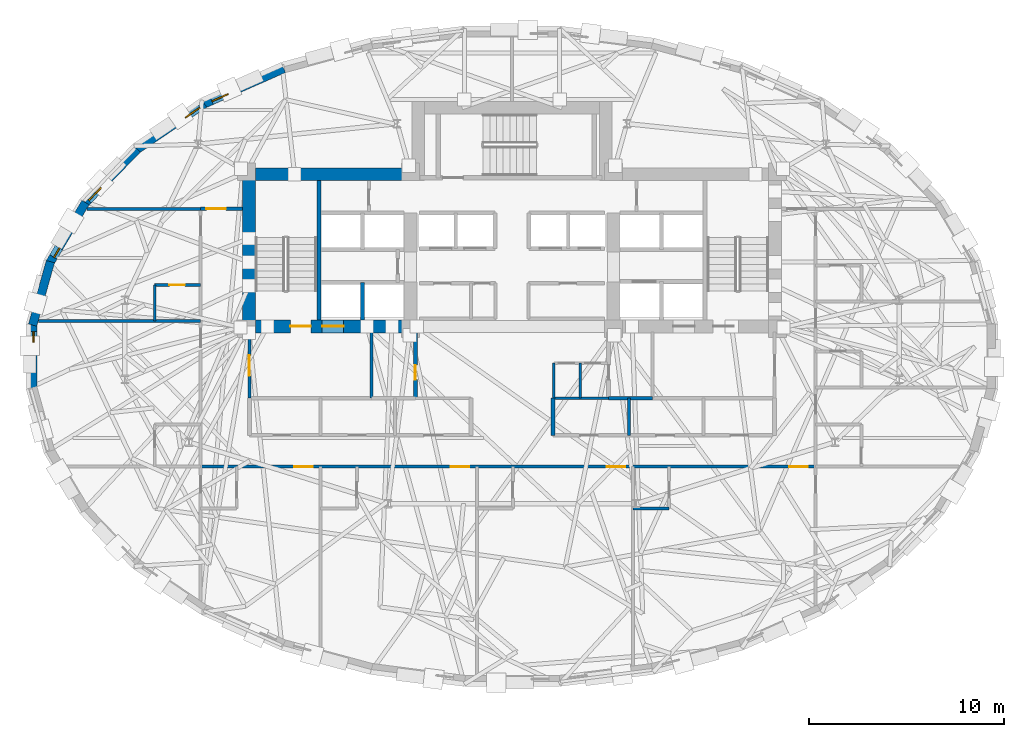
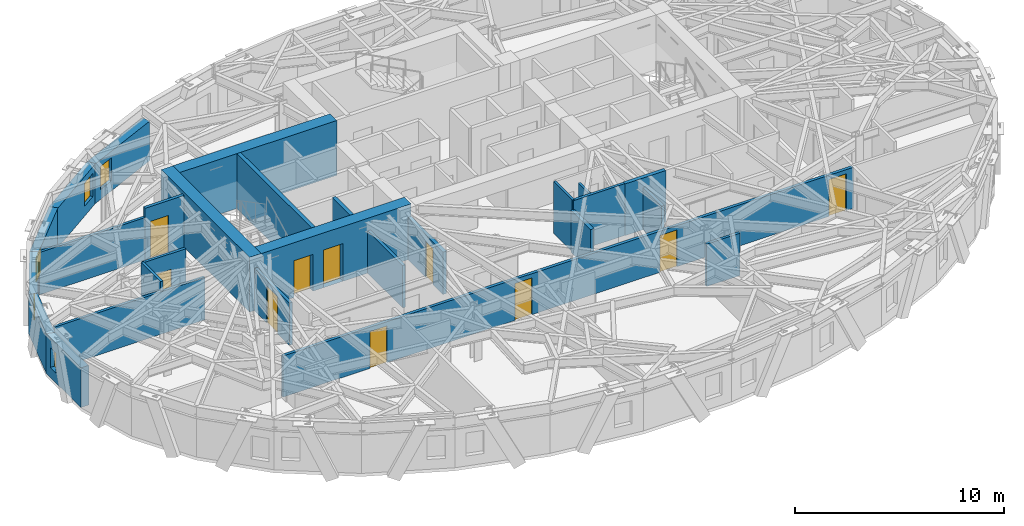
# One storey, part 7 of 15: 27 walls, 10 doors, 5 windows, 15 openings.
"""IFC4 building model written with IfcOpenShell, lengths in metres."""

from ifc_helpers import new_model, si_unit, direction, frame, frame_2d, origin, place, context, subcontext, project, spatial, rectangle, extrude, material, layer, layer_set, type_object, element, fill, save


model = new_model("IFC4")

# Units and contexts
model_context = context("Model", 3, precision=1e-05, world=origin(), true_north=direction((0.0, 1.0)))
body_context = subcontext(model_context, "Body", "Model", "MODEL_VIEW")
ifc_project = project(units=[si_unit("LENGTHUNIT", "METRE"), si_unit("AREAUNIT", "SQUARE_METRE"), si_unit("VOLUMEUNIT", "CUBIC_METRE"), si_unit("PLANEANGLEUNIT", "RADIAN"), si_unit("MASSUNIT", "GRAM", prefix="KILO")], contexts=[model_context])

# Site, building, storey
site_placement = place(None, origin())
site = spatial("IfcSite", under=ifc_project, at=site_placement, CompositionType="ELEMENT")
building_placement = place(site_placement, origin())
building = spatial("IfcBuilding", under=site, at=building_placement, Name="Keldmark Tower", CompositionType="ELEMENT")
storey_placement = place(building_placement, frame((0.0, 0.0, 159.800048828125)))
storey = spatial("IfcBuildingStorey", under=building, at=storey_placement, Name="L43", CompositionType="ELEMENT", Elevation=159.800048828125)

# Walls
ifc_material_1 = material(Name="Heavy Acoustic Plumbing Chase Gypsum Assembly", Category="gypsum")
ifc_layer_1 = layer(ifc_material_1, 0.18994140625)
ifc_layer_set_1 = layer_set([ifc_layer_1], Name="Heavy Acoustic Plumbing Chase Gypsum Assembly")
wall_type_1 = type_object("IfcWallType", Name="Heavy Wet Wall 190 mm", PredefinedType="PLUMBINGWALL", material=ifc_layer_set_1)
wall_1_placement = place(storey_placement, frame((2.10009765625, -4.050048828125, 0.0), z_axis=(0.0, 0.0, 1.0), x_axis=(0.0, 1.0, 0.0)))
element("IfcWall", 1, at=wall_1_placement, inside=storey, type_object=wall_type_1, Name="L43 Heavy Wet Wall 190 mm SPK-E-W", PredefinedType="PLUMBINGWALL", context=body_context, shape_type="SweptSolid", body=[
    extrude(rectangle(XDim=1.900146484375, YDim=0.18994140625, at=frame_2d((0.9501953125, 0.0))), origin(), (0.0, 0.0, 1.0), 2.472900390625),
])
ifc_material_2 = material(Name="Acoustic Gypsum Board Interior Partition", Category="gypsum")
ifc_layer_2 = layer(ifc_material_2, 0.1298828125)
ifc_layer_set_2 = layer_set([ifc_layer_2], Name="Acoustic Gypsum Board Interior Partition")
wall_type_2 = type_object("IfcWallType", Name="Interior Partition 130 mm", PredefinedType="PARTITIONING", material=ifc_layer_set_2)
wall_2_placement = place(storey_placement, frame((2.14990234375, -2.14990234375, 0.0), z_axis=(0.0, 0.0, 1.0), x_axis=(0.0, 1.0, 0.0)))
element("IfcWall", 2, at=wall_2_placement, inside=storey, type_object=wall_type_2, Name="L43 Interior Partition 130 mm CSC-E-W", PredefinedType="PARTITIONING", context=body_context, shape_type="SweptSolid", body=[
    extrude(rectangle(XDim=1.7998046875, YDim=0.1298828125, at=frame_2d((0.89990234375, 0.0))), origin(), (0.0, 0.0, 1.0), 3.02001953125),
])
wall_3_placement = place(storey_placement, frame((3.5, -2.14990234375, 0.0), z_axis=(0.0, 0.0, 1.0), x_axis=(0.0, 1.0, 0.0)))
element("IfcWall", 3, at=wall_3_placement, inside=storey, type_object=wall_type_2, Name="L43 Interior Partition 130 mm CSC-E-M", PredefinedType="PARTITIONING", context=body_context, shape_type="SweptSolid", body=[
    extrude(rectangle(XDim=1.7998046875, YDim=0.1298828125, at=frame_2d((0.89990234375, 0.0))), origin(), (0.0, 0.0, 1.0), 2.472900390625),
])

# Wall, opening, door
ifc_material_3 = material(Name="Type X Fire-Rated Gypsum Partition Assembly", Category="gypsum")
ifc_layer_3 = layer(ifc_material_3, 0.1650390625)
ifc_layer_set_3 = layer_set([ifc_layer_3], Name="Type X Fire-Rated Gypsum Partition Assembly")
wall_type_3 = type_object("IfcWallType", Name="Rated Partition 165 mm", PredefinedType="PARTITIONING", material=ifc_layer_set_3)
wall_4_placement = place(storey_placement, frame((-13.449951171875, -2.14990234375, 0.0), z_axis=(0.0, 0.0, 1.0), x_axis=(0.0, 1.0, 0.0)))
wall_4 = element("IfcWall", 4, at=wall_4_placement, inside=storey, type_object=wall_type_3, Name="L43 Rated Partition 165 mm FSAE-W-W", PredefinedType="PARTITIONING", context=body_context, shape_type="SweptSolid", body=[
    extrude(rectangle(XDim=3.39990234375, YDim=0.1650390625, at=frame_2d((1.699951171875, 0.0))), origin(), (0.0, 0.0, 1.0), 2.472900390625),
])
opening_1_placement = place(wall_4_placement, frame((1.14990234375, 0.0, 0.0)))
opening_1 = element("IfcOpeningElement", 5, at=opening_1_placement, cuts=wall_4, Name="Opening D-FL105", PredefinedType="OPENING", context=body_context, shape_type="SweptSolid", body=[
    extrude(rectangle(XDim=1.050048828125, YDim=2.14990234375, at=frame_2d((0.52490234375, 1.074951171875))), frame((0.0, 0.092529296875, 0.0), z_axis=(0.0, -1.0, 0.0), x_axis=(1.0, 0.0, 0.0)), (0.0, 0.0, 1.0), 0.18505859375),
])
ifc_material_4 = material(Name="Fire-Rated Mineral-Core Door and Vision Lite", Category="metal")
door_type_1 = type_object("IfcDoorType", Name="Fire Lobby Door 1050x2150", OperationType="NOTDEFINED", PredefinedType="DOOR", material=ifc_material_4)
door_1_placement = place(opening_1_placement, origin())
door_1 = element("IfcDoor", 6, at=door_1_placement, inside=storey, type_object=door_type_1, Name="L43 Fire Lobby Door 1050x2150 D-FSAEW-OUT-L43", OperationType="SINGLE_SWING_LEFT", OverallHeight=2.14990234375, OverallWidth=1.050048828125, PredefinedType="DOOR", context=body_context, shape_type="SweptSolid", body=[
    extrude(rectangle(XDim=1.050048828125, YDim=2.14990234375, at=frame_2d((0.52490234375, 1.074951171875))), frame((0.0, 0.02490234375, 0.0), z_axis=(0.0, -1.0, 0.0), x_axis=(1.0, 0.0, 0.0)), (0.0, 0.0, 1.0), 0.050048828125),
])
fill(opening_1, door_1)

# Wall
wall_5_placement = place(storey_placement, frame((-7.199951171875, -2.14990234375, 0.0), z_axis=(0.0, 0.0, 1.0), x_axis=(0.0, 1.0, 0.0)))
element("IfcWall", 7, at=wall_5_placement, inside=storey, type_object=wall_type_3, Name="L43 Rated Partition 165 mm FSAE-W-E", PredefinedType="PARTITIONING", context=body_context, shape_type="SweptSolid", body=[
    extrude(rectangle(XDim=3.39990234375, YDim=0.1650390625, at=frame_2d((1.699951171875, 0.0))), origin(), (0.0, 0.0, 1.0), 2.472900390625),
])

# Wall, openings, doors
wall_6_placement = place(storey_placement, frame((-15.949951171875, -5.64990234375, 0.0), z_axis=(0.0, 0.0, 1.0), x_axis=(1.0, 0.0, 0.0)))
wall_6 = element("IfcWall", 8, at=wall_6_placement, inside=storey, type_object=wall_type_3, Name="L43 Rated Partition 165 mm HCOR-S", PredefinedType="PARTITIONING", context=body_context, shape_type="SweptSolid", body=[
    extrude(rectangle(XDim=31.5, YDim=0.1650390625, at=frame_2d((15.75, 0.0))), origin(), (0.0, 0.0, 1.0), 2.39794921875),
])
opening_2_placement = place(wall_6_placement, frame((4.800048828125, 0.0, 0.0)))
opening_2 = element("IfcOpeningElement", 9, at=opening_2_placement, cuts=wall_6, Name="Opening D-HT095", PredefinedType="OPENING", context=body_context, shape_type="SweptSolid", body=[
    extrude(rectangle(XDim=0.949951171875, YDim=2.14990234375, at=frame_2d((0.47509765625, 1.074951171875))), frame((0.0, 0.092529296875, 0.0), z_axis=(0.0, -1.0, 0.0), x_axis=(1.0, 0.0, 0.0)), (0.0, 0.0, 1.0), 0.18505859375),
])
opening_3_placement = place(wall_6_placement, frame((12.800048828125, 0.0, 0.0)))
opening_3 = element("IfcOpeningElement", 10, at=opening_3_placement, cuts=wall_6, Name="Opening D-HT095", PredefinedType="OPENING", context=body_context, shape_type="SweptSolid", body=[
    extrude(rectangle(XDim=0.949951171875, YDim=2.14990234375, at=frame_2d((0.47509765625, 1.074951171875))), frame((0.0, 0.092529296875, 0.0), z_axis=(0.0, -1.0, 0.0), x_axis=(1.0, 0.0, 0.0)), (0.0, 0.0, 1.0), 0.18505859375),
])
opening_4_placement = place(wall_6_placement, frame((20.800048828125, 0.0, 0.0)))
opening_4 = element("IfcOpeningElement", 11, at=opening_4_placement, cuts=wall_6, Name="Opening D-HT095", PredefinedType="OPENING", context=body_context, shape_type="SweptSolid", body=[
    extrude(rectangle(XDim=0.949951171875, YDim=2.14990234375, at=frame_2d((0.47509765625, 1.074951171875))), frame((0.0, 0.092529296875, 0.0), z_axis=(0.0, -1.0, 0.0), x_axis=(1.0, 0.0, 0.0)), (0.0, 0.0, 1.0), 0.18505859375),
])
opening_5_placement = place(wall_6_placement, frame((30.14990234375, 0.0, 0.0)))
opening_5 = element("IfcOpeningElement", 12, at=opening_5_placement, cuts=wall_6, Name="Opening D-HT095", PredefinedType="OPENING", context=body_context, shape_type="SweptSolid", body=[
    extrude(rectangle(XDim=0.949951171875, YDim=2.14990234375, at=frame_2d((0.47509765625, 1.074951171875))), frame((0.0, 0.092529296875, 0.0), z_axis=(0.0, -1.0, 0.0), x_axis=(1.0, 0.0, 0.0)), (0.0, 0.0, 1.0), 0.18505859375),
])
ifc_material_5 = material(Name="Solid-Core Acoustic White Oak Fire-Rated Assembly", Category="wood")
door_type_2 = type_object("IfcDoorType", Name="Hotel Entry Door 950x2150", OperationType="NOTDEFINED", PredefinedType="DOOR", material=ifc_material_5)
door_2_placement = place(opening_2_placement, origin())
door_2 = element("IfcDoor", 13, at=door_2_placement, inside=storey, type_object=door_type_2, Name="L43 Hotel Entry Door 950x2150 D-HRS1-L43", OperationType="SINGLE_SWING_RIGHT", OverallHeight=2.14990234375, OverallWidth=0.949951171875, PredefinedType="DOOR", context=body_context, shape_type="SweptSolid", body=[
    extrude(rectangle(XDim=0.949951171875, YDim=2.14990234375, at=frame_2d((0.47509765625, 1.074951171875))), frame((0.0, 0.02490234375, 0.0), z_axis=(0.0, -1.0, 0.0), x_axis=(1.0, 0.0, 0.0)), (0.0, 0.0, 1.0), 0.050048828125),
])
fill(opening_2, door_2)
door_3_placement = place(opening_3_placement, origin())
door_3 = element("IfcDoor", 14, at=door_3_placement, inside=storey, type_object=door_type_2, Name="L43 Hotel Entry Door 950x2150 D-HRS2-L43", OperationType="SINGLE_SWING_LEFT", OverallHeight=2.14990234375, OverallWidth=0.949951171875, PredefinedType="DOOR", context=body_context, shape_type="SweptSolid", body=[
    extrude(rectangle(XDim=0.949951171875, YDim=2.14990234375, at=frame_2d((0.47509765625, 1.074951171875))), frame((0.0, 0.02490234375, 0.0), z_axis=(0.0, -1.0, 0.0), x_axis=(1.0, 0.0, 0.0)), (0.0, 0.0, 1.0), 0.050048828125),
])
fill(opening_3, door_3)
door_4_placement = place(opening_4_placement, origin())
door_4 = element("IfcDoor", 15, at=door_4_placement, inside=storey, type_object=door_type_2, Name="L43 Hotel Entry Door 950x2150 D-HRS3-L43", OperationType="SINGLE_SWING_RIGHT", OverallHeight=2.14990234375, OverallWidth=0.949951171875, PredefinedType="DOOR", context=body_context, shape_type="SweptSolid", body=[
    extrude(rectangle(XDim=0.949951171875, YDim=2.14990234375, at=frame_2d((0.47509765625, 1.074951171875))), frame((0.0, 0.02490234375, 0.0), z_axis=(0.0, -1.0, 0.0), x_axis=(1.0, 0.0, 0.0)), (0.0, 0.0, 1.0), 0.050048828125),
])
fill(opening_4, door_4)
door_5_placement = place(opening_5_placement, origin())
door_5 = element("IfcDoor", 16, at=door_5_placement, inside=storey, type_object=door_type_2, Name="L43 Hotel Entry Door 950x2150 D-HRS4-L43", OperationType="SINGLE_SWING_LEFT", OverallHeight=2.14990234375, OverallWidth=0.949951171875, PredefinedType="DOOR", context=body_context, shape_type="SweptSolid", body=[
    extrude(rectangle(XDim=0.949951171875, YDim=2.14990234375, at=frame_2d((0.47509765625, 1.074951171875))), frame((0.0, 0.02490234375, 0.0), z_axis=(0.0, -1.0, 0.0), x_axis=(1.0, 0.0, 0.0)), (0.0, 0.0, 1.0), 0.050048828125),
])
fill(opening_5, door_5)

# Wall, opening, door
wall_7_placement = place(storey_placement, frame((-15.949951171875, 7.550048828125, 0.0), z_axis=(0.0, 0.0, 1.0), x_axis=(1.0, 0.0, 0.0)))
wall_7 = element("IfcWall", 17, at=wall_7_placement, inside=storey, type_object=wall_type_3, Name="L43 Rated Partition 165 mm HCOR-WN", PredefinedType="PARTITIONING", context=body_context, shape_type="SweptSolid", body=[
    extrude(rectangle(XDim=2.14990234375, YDim=0.1650390625, at=frame_2d((1.074951171875, 0.0))), origin(), (0.0, 0.0, 1.0), 3.02001953125),
])
opening_6_placement = place(wall_7_placement, frame((0.300048828125, 0.0, 0.0)))
opening_6 = element("IfcOpeningElement", 18, at=opening_6_placement, cuts=wall_7, Name="Opening D-FD100", PredefinedType="OPENING", context=body_context, shape_type="SweptSolid", body=[
    extrude(rectangle(XDim=1.0, YDim=2.14990234375, at=frame_2d((0.5, 1.074951171875))), frame((0.0, 0.092529296875, 0.0), z_axis=(0.0, -1.0, 0.0), x_axis=(1.0, 0.0, 0.0)), (0.0, 0.0, 1.0), 0.18505859375),
])
ifc_material_6 = material(Name="Hollow Metal Fire-Rated Corridor Door", Category="metal")
door_type_3 = type_object("IfcDoorType", Name="Fire Door 1000x2150", OperationType="NOTDEFINED", PredefinedType="DOOR", material=ifc_material_6)
door_6_placement = place(opening_6_placement, origin())
door_6 = element("IfcDoor", 19, at=door_6_placement, inside=storey, type_object=door_type_3, Name="L43 Fire Door 1000x2150 D-HNNW-L43", OperationType="SINGLE_SWING_LEFT", OverallHeight=2.14990234375, OverallWidth=1.0, PredefinedType="DOOR", context=body_context, shape_type="SweptSolid", body=[
    extrude(rectangle(XDim=1.0, YDim=2.14990234375, at=frame_2d((0.5, 1.074951171875))), frame((0.0, 0.02490234375, 0.0), z_axis=(0.0, -1.0, 0.0), x_axis=(1.0, 0.0, 0.0)), (0.0, 0.0, 1.0), 0.050048828125),
])
fill(opening_6, door_6)

ifc_material_7 = material(Name="Fire-Resistant Type X Gypsum Shaftliner Coreboard", Category="gypsum")
ifc_layer_4 = layer(ifc_material_7, 0.199951171875)
ifc_layer_set_4 = layer_set([ifc_layer_4], Name="Fire-Resistant Type X Gypsum Shaftliner Coreboard")
wall_type_4 = type_object("IfcWallType", Name="Shaft Wall 200 mm", PredefinedType="SOLIDWALL", material=ifc_layer_set_4)
wall_8_placement = place(storey_placement, frame((-4.949951171875, -2.14990234375, 0.0), z_axis=(0.0, 0.0, 1.0), x_axis=(0.0, 1.0, 0.0)))
wall_8 = element("IfcWall", 20, at=wall_8_placement, inside=storey, type_object=wall_type_4, Name="L43 Shaft Wall 200 mm RIS-SW-E", PredefinedType="SOLIDWALL", context=body_context, shape_type="SweptSolid", body=[
    extrude(rectangle(XDim=3.39990234375, YDim=0.199951171875, at=frame_2d((1.699951171875, 0.0))), origin(), (0.0, 0.0, 1.0), 2.472900390625),
])
opening_7_placement = place(wall_8_placement, frame((0.949951171875, 0.0, 0.0)))
opening_7 = element("IfcOpeningElement", 21, at=opening_7_placement, cuts=wall_8, Name="Opening D-RS075", PredefinedType="OPENING", context=body_context, shape_type="SweptSolid", body=[
    extrude(rectangle(XDim=0.75, YDim=2.10009765625, at=frame_2d((0.375, 1.050048828125))), frame((0.0, 0.10986328125, 0.0), z_axis=(0.0, -1.0, 0.0), x_axis=(1.0, 0.0, 0.0)), (0.0, 0.0, 1.0), 0.219970703125),
])
ifc_material_8 = material(Name="Galvanized Fire-Rated Access Leaf", Category="metal")
door_type_4 = type_object("IfcDoorType", Name="Riser Access Door 750x2100", OperationType="NOTDEFINED", PredefinedType="DOOR", material=ifc_material_8)
door_7_placement = place(opening_7_placement, origin())
door_7 = element("IfcDoor", 22, at=door_7_placement, inside=storey, type_object=door_type_4, Name="L43 Riser Access Door 750x2100 D-RISSW-L43", OperationType="SINGLE_SWING_RIGHT", OverallHeight=2.10009765625, OverallWidth=0.75, PredefinedType="DOOR", context=body_context, shape_type="SweptSolid", body=[
    extrude(rectangle(XDim=0.75, YDim=2.10009765625, at=frame_2d((0.375, 1.050048828125))), frame((0.0, 0.02490234375, 0.0), z_axis=(0.0, -1.0, 0.0), x_axis=(1.0, 0.0, 0.0)), (0.0, 0.0, 1.0), 0.050048828125),
])
fill(opening_7, door_7)

# Walls
wall_9_placement = place(storey_placement, frame((4.949951171875, -2.14990234375, 0.0), z_axis=(0.0, 0.0, 1.0), x_axis=(1.0, 0.0, 0.0)))
element("IfcWall", 23, at=wall_9_placement, inside=storey, type_object=wall_type_4, Name="L43 Shaft Wall 200 mm RIS-SE-S", PredefinedType="SOLIDWALL", context=body_context, shape_type="SweptSolid", body=[
    extrude(rectangle(XDim=2.25, YDim=0.199951171875, at=frame_2d((1.125, 0.0))), origin(), (0.0, 0.0, 1.0), 3.02001953125),
])
wall_10_placement = place(storey_placement, frame((-7.64990234375, 1.85009765625, 0.0), z_axis=(0.0, 0.0, 1.0), x_axis=(0.0, 1.0, 0.0)))
element("IfcWall", 24, at=wall_10_placement, inside=storey, type_object=wall_type_4, Name="L43 Shaft Wall 200 mm HW-W-M", PredefinedType="SOLIDWALL", context=body_context, shape_type="SweptSolid", body=[
    extrude(rectangle(XDim=1.929931640625, YDim=0.199951171875, at=frame_2d((0.96484375, 0.0))), origin(), (0.0, 0.0, 1.0), 3.02001953125),
])
ifc_material_9 = material(Name="Concrete C50/60", Category="concrete")
ifc_layer_5 = layer(ifc_material_9, 0.219970703125)
ifc_layer_set_5 = layer_set([ifc_layer_5], Name="Concrete C50/60")
wall_type_5 = type_object("IfcWallType", Name="Stair Core Shear Wall 220 mm", PredefinedType="SHEAR", material=ifc_layer_set_5)
wall_11_placement = place(storey_placement, frame((-9.889892578125, 1.85009765625, 0.0), z_axis=(0.0, 0.0, 1.0), x_axis=(0.0, 1.0, 0.0)))
element("IfcWall", 25, at=wall_11_placement, inside=storey, type_object=wall_type_5, Name="L43 West Stair Core Shear Wall", PredefinedType="SHEAR", context=body_context, shape_type="SweptSolid", body=[
    extrude(rectangle(XDim=7.14990234375, YDim=0.219970703125, at=frame_2d((3.574951171875, 0.0))), origin(), (0.0, 0.0, 1.0), 3.199951171875),
])

# Wall, opening, window
ifc_material_10 = material(Name="Ironspot Manganese Brick and Kasota Buff Limestone Spandrel Assembly", Category="masonry")
ifc_layer_6 = layer(ifc_material_10, 0.43994140625)
ifc_layer_set_6 = layer_set([ifc_layer_6], Name="Ironspot Manganese Brick and Kasota Buff Limestone Spandrel Assembly")
wall_type_6 = type_object("IfcWallType", Name="Tower Brick Pier and Spandrel Wall 440 mm", PredefinedType="STANDARD", material=ifc_layer_set_6)
wall_12_placement = place(storey_placement, frame((-15.790771484375, 12.91552734375, 0.0), z_axis=(0.0, 0.0, 1.0), x_axis=(0.913907994914, 0.405921392431, 0.0)))
wall_12 = element("IfcWall", 26, at=wall_12_placement, inside=storey, type_object=wall_type_6, Name="L43 Exterior Brick and Spandrel Wall 11", PredefinedType="STANDARD", context=body_context, shape_type="SweptSolid", body=[
    extrude(rectangle(XDim=4.4873046875, YDim=0.43994140625, at=frame_2d((2.24365234375, 0.0))), origin(), (0.0, 0.0, 1.0), 2.31494140625),
])
opening_8_placement = place(wall_12_placement, frame((0.448974609375, 0.0, 0.580078125)))
opening_8 = element("IfcOpeningElement", 27, at=opening_8_placement, cuts=wall_12, Name="Opening W-09", PredefinedType="OPENING", context=body_context, shape_type="SweptSolid", body=[
    extrude(rectangle(XDim=0.89990234375, YDim=1.35009765625, at=frame_2d((0.449951171875, 0.675048828125))), frame((0.0, 0.22998046875, 0.0), z_axis=(0.0, -1.0, 0.0), x_axis=(1.0, 0.0, 0.0)), (0.0, 0.0, 1.0), 0.4599609375),
])
ifc_material_11 = material(Name="Thermally Broken Anodized Aluminum and Triple Low-E Argon Glazing", Category="aluminium")
window_type_1 = type_object("IfcWindowType", Name="Corner Pier Deep-Set Window 900x1350", PartitioningType="SINGLE_PANEL", PredefinedType="WINDOW", material=ifc_material_11)
window_1_placement = place(opening_8_placement, origin())
window_1 = element("IfcWindow", 28, at=window_1_placement, inside=storey, type_object=window_type_1, Name="L43 Deep-Set Window 11", OverallHeight=1.35009765625, OverallWidth=0.89990234375, PartitioningType="SINGLE_PANEL", PredefinedType="WINDOW", context=body_context, shape_type="SweptSolid", body=[
    extrude(rectangle(XDim=0.89990234375, YDim=1.35009765625, at=frame_2d((0.449951171875, 0.675048828125))), frame((0.0, -0.010009765625, 0.0), z_axis=(0.0, -1.0, 0.0), x_axis=(1.0, 0.0, 0.0)), (0.0, 0.0, 1.0), 0.06005859375),
])
fill(opening_8, window_1)

wall_13_placement = place(storey_placement, frame((-19.2265625, 10.58251953125, 0.0), z_axis=(0.0, 0.0, 1.0), x_axis=(0.827760762475, 0.561081206338, 0.0)))
wall_13 = element("IfcWall", 29, at=wall_13_placement, inside=storey, type_object=wall_type_6, Name="L43 Exterior Brick and Spandrel Wall 12", PredefinedType="STANDARD", context=body_context, shape_type="SweptSolid", body=[
    extrude(rectangle(XDim=4.19189453125, YDim=0.43994140625, at=frame_2d((2.095947265625, 0.0))), origin(), (0.0, 0.0, 1.0), 2.31494140625),
])
opening_9_placement = place(wall_13_placement, frame((2.9921875, 0.0, 0.580078125)))
opening_9 = element("IfcOpeningElement", 30, at=opening_9_placement, cuts=wall_13, Name="Opening W-09", PredefinedType="OPENING", context=body_context, shape_type="SweptSolid", body=[
    extrude(rectangle(XDim=0.89990234375, YDim=1.35009765625, at=frame_2d((0.449951171875, 0.675048828125))), frame((0.0, 0.22998046875, 0.0), z_axis=(0.0, -1.0, 0.0), x_axis=(1.0, 0.0, 0.0)), (0.0, 0.0, 1.0), 0.4599609375),
])
window_2_placement = place(opening_9_placement, origin())
window_2 = element("IfcWindow", 31, at=window_2_placement, inside=storey, type_object=window_type_1, Name="L43 Deep-Set Window 12", OverallHeight=1.35009765625, OverallWidth=0.89990234375, PartitioningType="SINGLE_PANEL", PredefinedType="WINDOW", context=body_context, shape_type="SweptSolid", body=[
    extrude(rectangle(XDim=0.89990234375, YDim=1.35009765625, at=frame_2d((0.449951171875, 0.675048828125))), frame((0.0, -0.010009765625, 0.0), z_axis=(0.0, -1.0, 0.0), x_axis=(1.0, 0.0, 0.0)), (0.0, 0.0, 1.0), 0.06005859375),
])
fill(opening_9, window_2)

wall_14_placement = place(storey_placement, frame((-21.878662109375, 7.831787109375, 0.0), z_axis=(0.0, 0.0, 1.0), x_axis=(0.694975307772, 0.719033602544, 0.0)))
wall_14 = element("IfcWall", 32, at=wall_14_placement, inside=storey, type_object=wall_type_6, Name="L43 Exterior Brick and Spandrel Wall 13", PredefinedType="STANDARD", context=body_context, shape_type="SweptSolid", body=[
    extrude(rectangle(XDim=3.866455078125, YDim=0.43994140625, at=frame_2d((1.93310546875, 0.0))), origin(), (0.0, 0.0, 1.0), 2.31494140625),
])
opening_10_placement = place(wall_14_placement, frame((0.24951171875, 0.0, 0.419921875)))
opening_10 = element("IfcOpeningElement", 33, at=opening_10_placement, cuts=wall_14, Name="Opening W-09", PredefinedType="OPENING", context=body_context, shape_type="SweptSolid", body=[
    extrude(rectangle(XDim=0.89990234375, YDim=1.35009765625, at=frame_2d((0.449951171875, 0.675048828125))), frame((0.0, 0.22998046875, 0.0), z_axis=(0.0, -1.0, 0.0), x_axis=(1.0, 0.0, 0.0)), (0.0, 0.0, 1.0), 0.4599609375),
])
window_3_placement = place(opening_10_placement, origin())
window_3 = element("IfcWindow", 34, at=window_3_placement, inside=storey, type_object=window_type_1, Name="L43 Deep-Set Window 13", OverallHeight=1.35009765625, OverallWidth=0.89990234375, PartitioningType="SINGLE_PANEL", PredefinedType="WINDOW", context=body_context, shape_type="SweptSolid", body=[
    extrude(rectangle(XDim=0.89990234375, YDim=1.35009765625, at=frame_2d((0.449951171875, 0.675048828125))), frame((0.0, -0.010009765625, 0.0), z_axis=(0.0, -1.0, 0.0), x_axis=(1.0, 0.0, 0.0)), (0.0, 0.0, 1.0), 0.06005859375),
])
fill(opening_10, window_3)

wall_15_placement = place(storey_placement, frame((-23.66748046875, 4.793701171875, 0.0), z_axis=(0.0, 0.0, 1.0), x_axis=(0.508883387051, 0.860835465338, 0.0)))
wall_15 = element("IfcWall", 35, at=wall_15_placement, inside=storey, type_object=wall_type_6, Name="L43 Exterior Brick and Spandrel Wall 14", PredefinedType="STANDARD", context=body_context, shape_type="SweptSolid", body=[
    extrude(rectangle(XDim=3.57666015625, YDim=0.43994140625, at=frame_2d((1.788330078125, 0.0))), origin(), (0.0, 0.0, 1.0), 2.31494140625),
])
opening_11_placement = place(wall_15_placement, frame((0.339111328125, 0.0, 0.580078125)))
opening_11 = element("IfcOpeningElement", 36, at=opening_11_placement, cuts=wall_15, Name="Opening W-10", PredefinedType="OPENING", context=body_context, shape_type="SweptSolid", body=[
    extrude(rectangle(XDim=0.56005859375, YDim=1.14990234375, at=frame_2d((0.280029296875, 0.574951171875))), frame((0.0, 0.22998046875, 0.0), z_axis=(0.0, -1.0, 0.0), x_axis=(1.0, 0.0, 0.0)), (0.0, 0.0, 1.0), 0.4599609375),
])
ifc_material_12 = material(Name="Thermally Broken Anodized Aluminum and Triple Low-E Argon Glazing", Category="aluminium")
window_type_2 = type_object("IfcWindowType", Name="Narrow Pier Lancet Window 560x1150", PartitioningType="SINGLE_PANEL", PredefinedType="WINDOW", material=ifc_material_12)
window_4_placement = place(opening_11_placement, origin())
window_4 = element("IfcWindow", 37, at=window_4_placement, inside=storey, type_object=window_type_2, Name="L43 Pier Window RM02", OverallHeight=1.14990234375, OverallWidth=0.56005859375, PartitioningType="SINGLE_PANEL", PredefinedType="WINDOW", context=body_context, shape_type="SweptSolid", body=[
    extrude(rectangle(XDim=0.56005859375, YDim=1.14990234375, at=frame_2d((0.280029296875, 0.574951171875))), frame((0.0, -0.010009765625, 0.0), z_axis=(0.0, -1.0, 0.0), x_axis=(1.0, 0.0, 0.0)), (0.0, 0.0, 1.0), 0.06005859375),
])
fill(opening_11, window_4)

# Wall
wall_16_placement = place(storey_placement, frame((-24.55419921875, 1.59423828125, 0.0), z_axis=(0.0, 0.0, 1.0), x_axis=(0.269235699479, 0.963074315993, 0.0)))
element("IfcWall", 38, at=wall_16_placement, inside=storey, type_object=wall_type_6, Name="L43 Exterior Brick and Spandrel Wall 15", PredefinedType="STANDARD", context=body_context, shape_type="SweptSolid", body=[
    extrude(rectangle(XDim=3.376953125, YDim=0.43994140625, at=frame_2d((1.6884765625, 0.0))), origin(), (0.0, 0.0, 1.0), 2.31494140625),
])

# Wall, opening, window
wall_17_placement = place(storey_placement, frame((-24.5458984375, -1.653564453125, 0.0), z_axis=(0.0, 0.0, 1.0), x_axis=(0.0, 1.0, 0.0)))
wall_17 = element("IfcWall", 39, at=wall_17_placement, inside=storey, type_object=wall_type_6, Name="L43 Exterior Brick and Spandrel Wall 16", PredefinedType="STANDARD", context=body_context, shape_type="SweptSolid", body=[
    extrude(rectangle(XDim=3.30712890625, YDim=0.43994140625, at=frame_2d((1.653564453125, 0.0))), origin(), (0.0, 0.0, 1.0), 2.31494140625),
])
opening_12_placement = place(wall_17_placement, frame((2.3603515625, 0.0, 0.580078125)))
opening_12 = element("IfcOpeningElement", 40, at=opening_12_placement, cuts=wall_17, Name="Opening W-10", PredefinedType="OPENING", context=body_context, shape_type="SweptSolid", body=[
    extrude(rectangle(XDim=0.56005859375, YDim=1.14990234375, at=frame_2d((0.280029296875, 0.574951171875))), frame((0.0, 0.22998046875, 0.0), z_axis=(0.0, -1.0, 0.0), x_axis=(1.0, 0.0, 0.0)), (0.0, 0.0, 1.0), 0.4599609375),
])
window_5_placement = place(opening_12_placement, origin())
window_5 = element("IfcWindow", 41, at=window_5_placement, inside=storey, type_object=window_type_2, Name="L43 Pier Window RM01", OverallHeight=1.14990234375, OverallWidth=0.56005859375, PartitioningType="SINGLE_PANEL", PredefinedType="WINDOW", context=body_context, shape_type="SweptSolid", body=[
    extrude(rectangle(XDim=0.56005859375, YDim=1.14990234375, at=frame_2d((0.280029296875, 0.574951171875))), frame((0.0, -0.010009765625, 0.0), z_axis=(0.0, -1.0, 0.0), x_axis=(1.0, 0.0, 0.0)), (0.0, 0.0, 1.0), 0.06005859375),
])
fill(opening_12, window_5)

# Walls
ifc_material_13 = material(Name="Concrete C50/60", Category="concrete")
ifc_layer_7 = layer(ifc_material_13, 0.64990234375)
ifc_layer_set_7 = layer_set([ifc_layer_7], Name="Concrete C50/60")
wall_type_7 = type_object("IfcWallType", Name="Upper-Mid Core Shear Wall 650 mm", PredefinedType="SHEAR", material=ifc_layer_set_7)
wall_18_placement = place(storey_placement, frame((-13.47509765625, 1.199951171875, 0.0), z_axis=(0.0, 0.0, 1.0), x_axis=(0.0, 1.0, 0.0)))
element("IfcWall", 42, at=wall_18_placement, inside=storey, type_object=wall_type_7, Name="L43 West Core Outer Shear Wall", PredefinedType="SHEAR", context=body_context, shape_type="SweptSolid", body=[
    extrude(rectangle(XDim=8.449951171875, YDim=0.64990234375, at=frame_2d((4.22509765625, 0.0))), origin(), (0.0, 0.0, 1.0), 3.199951171875),
])
wall_19_placement = place(storey_placement, frame((-13.800048828125, 9.324951171875, 0.0), z_axis=(0.0, 0.0, 1.0), x_axis=(1.0, 0.0, 0.0)))
element("IfcWall", 43, at=wall_19_placement, inside=storey, type_object=wall_type_7, Name="L43 West Core North Shear Wall", PredefinedType="SHEAR", context=body_context, shape_type="SweptSolid", body=[
    extrude(rectangle(XDim=9.324951171875, YDim=0.64990234375, at=frame_2d((4.66259765625, 0.0))), origin(), (0.0, 0.0, 1.0), 3.199951171875),
])

# Wall, openings, doors
wall_20_placement = place(storey_placement, frame((-4.875, 1.52490234375, 0.0), z_axis=(0.0, 0.0, 1.0), x_axis=(-1.0, 0.0, 0.0)))
wall_20 = element("IfcWall", 44, at=wall_20_placement, inside=storey, type_object=wall_type_7, Name="L43 West Core South Shear Wall", PredefinedType="SHEAR", context=body_context, shape_type="SweptSolid", body=[
    extrude(rectangle(XDim=8.925048828125, YDim=0.64990234375, at=frame_2d((4.46240234375, 0.0))), origin(), (0.0, 0.0, 1.0), 3.199951171875),
])
opening_13_placement = place(wall_20_placement, frame((5.425048828125, 0.0, 0.0)))
opening_13 = element("IfcOpeningElement", 45, at=opening_13_placement, cuts=wall_20, Name="Opening D-ST105", PredefinedType="OPENING", context=body_context, shape_type="SweptSolid", body=[
    extrude(rectangle(XDim=1.050048828125, YDim=2.14990234375, at=frame_2d((0.52490234375, 1.074951171875))), frame((0.0, 0.3349609375, 0.0), z_axis=(0.0, -1.0, 0.0), x_axis=(1.0, 0.0, 0.0)), (0.0, 0.0, 1.0), 0.669921875),
])
opening_14_placement = place(wall_20_placement, frame((3.7548828125, 0.0, 0.0)))
opening_14 = element("IfcOpeningElement", 46, at=opening_14_placement, cuts=wall_20, Name="Opening LD-110", PredefinedType="OPENING", context=body_context, shape_type="SweptSolid", body=[
    extrude(rectangle(XDim=1.10009765625, YDim=2.199951171875, at=frame_2d((0.550048828125, 1.10009765625))), frame((0.0, 0.3349609375, 0.0), z_axis=(0.0, -1.0, 0.0), x_axis=(1.0, 0.0, 0.0)), (0.0, 0.0, 1.0), 0.669921875),
])
ifc_material_14 = material(Name="Brushed Bronze Hoistway Sliding Leaf", Category="metal")
door_type_5 = type_object("IfcDoorType", Name="Lift Landing Sliding Door 1100x2200", OperationType="SLIDING_TO_LEFT", PredefinedType="DOOR", material=ifc_material_14)
door_8_placement = place(opening_14_placement, origin())
door_8 = element("IfcDoor", 47, at=door_8_placement, inside=storey, type_object=door_type_5, Name="L43 Lift Landing Sliding Door 1100x2200 LD-EL-FS1-L43", OperationType="SLIDING_TO_LEFT", OverallHeight=2.199951171875, OverallWidth=1.10009765625, PredefinedType="DOOR", context=body_context, shape_type="SweptSolid", body=[
    extrude(rectangle(XDim=1.10009765625, YDim=2.199951171875, at=frame_2d((0.550048828125, 1.10009765625))), frame((0.0, 0.02490234375, 0.0), z_axis=(0.0, -1.0, 0.0), x_axis=(1.0, 0.0, 0.0)), (0.0, 0.0, 1.0), 0.050048828125),
])
fill(opening_14, door_8)
ifc_material_15 = material(Name="Hollow Metal Fire-Rated Door Assembly", Category="metal")
door_type_6 = type_object("IfcDoorType", Name="Stair Fire Door 1050x2150", OperationType="NOTDEFINED", PredefinedType="DOOR", material=ifc_material_15)
door_9_placement = place(opening_13_placement, origin())
door_9 = element("IfcDoor", 48, at=door_9_placement, inside=storey, type_object=door_type_6, Name="L43 Stair Fire Door 1050x2150 D-ST1-L43", OperationType="SINGLE_SWING_RIGHT", OverallHeight=2.14990234375, OverallWidth=1.050048828125, PredefinedType="DOOR", context=body_context, shape_type="SweptSolid", body=[
    extrude(rectangle(XDim=1.050048828125, YDim=2.14990234375, at=frame_2d((0.52490234375, 1.074951171875))), frame((0.0, 0.02490234375, 0.0), z_axis=(0.0, -1.0, 0.0), x_axis=(1.0, 0.0, 0.0)), (0.0, 0.0, 1.0), 0.050048828125),
])
fill(opening_13, door_9)

# Walls
ifc_material_16 = material(Name="Moisture-Resistant Gypsum Plumbing Partition", Category="gypsum")
ifc_layer_8 = layer(ifc_material_16, 0.14990234375)
ifc_layer_set_8 = layer_set([ifc_layer_8], Name="Moisture-Resistant Gypsum Plumbing Partition")
wall_type_8 = type_object("IfcWallType", Name="Wet Wall 150 mm", PredefinedType="PLUMBINGWALL", material=ifc_layer_set_8)
wall_21_placement = place(storey_placement, frame((2.10009765625, -2.14990234375, 0.0), z_axis=(0.0, 0.0, 1.0), x_axis=(1.0, 0.0, 0.0)))
element("IfcWall", 49, at=wall_21_placement, inside=storey, type_object=wall_type_8, Name="L43 Wet Wall 150 mm SPK-E-N", PredefinedType="PLUMBINGWALL", context=body_context, shape_type="SweptSolid", body=[
    extrude(rectangle(XDim=2.849853515625, YDim=0.14990234375, at=frame_2d((1.4248046875, 0.0))), origin(), (0.0, 0.0, 1.0), 3.02001953125),
])
wall_22_placement = place(storey_placement, frame((6.0, -4.050048828125, 0.0), z_axis=(0.0, 0.0, 1.0), x_axis=(0.0, 1.0, 0.0)))
element("IfcWall", 50, at=wall_22_placement, inside=storey, type_object=wall_type_8, Name="L43 Wet Wall 150 mm SPK-E-D1", PredefinedType="PLUMBINGWALL", context=body_context, shape_type="SweptSolid", body=[
    extrude(rectangle(XDim=1.900146484375, YDim=0.14990234375, at=frame_2d((0.9501953125, 0.0))), origin(), (0.0, 0.0, 1.0), 2.472900390625),
])
wall_23_placement = place(storey_placement, frame((-21.773193359375, 7.550048828125, 0.0), z_axis=(0.0, 0.0, 1.0), x_axis=(1.0, 0.0, 0.0)))
element("IfcWall", 51, at=wall_23_placement, inside=storey, type_object=wall_type_8, Name="L43 Wet Wall 150 mm HW-CAP-N", PredefinedType="PLUMBINGWALL", context=body_context, shape_type="SweptSolid", body=[
    extrude(rectangle(XDim=5.8232421875, YDim=0.14990234375, at=frame_2d((2.91162109375, 0.0))), origin(), (0.0, 0.0, 1.0), 2.472900390625),
])
wall_24_placement = place(storey_placement, frame((6.199951171875, -7.800048828125, 0.0), z_axis=(0.0, 0.0, 1.0), x_axis=(1.0, 0.0, 0.0)))
element("IfcWall", 52, at=wall_24_placement, inside=storey, type_object=wall_type_8, Name="L43 Wet Wall 150 mm HB-S4-S", PredefinedType="PLUMBINGWALL", context=body_context, shape_type="SweptSolid", body=[
    extrude(rectangle(XDim=1.85009765625, YDim=0.14990234375, at=frame_2d((0.925048828125, 0.0))), origin(), (0.0, 0.0, 1.0), 2.472900390625),
])
wall_25_placement = place(storey_placement, frame((-24.260009765625, 1.800048828125, 0.0), z_axis=(0.0, 0.0, 1.0), x_axis=(1.0, 0.0, 0.0)))
element("IfcWall", 53, at=wall_25_placement, inside=storey, type_object=wall_type_8, Name="L43 Wet Wall 150 mm HW-DIV-1", PredefinedType="PLUMBINGWALL", context=body_context, shape_type="SweptSolid", body=[
    extrude(rectangle(XDim=8.31005859375, YDim=0.14990234375, at=frame_2d((4.155029296875, 0.0))), origin(), (0.0, 0.0, 1.0), 2.472900390625),
])

# Wall, opening, door
wall_26_placement = place(storey_placement, frame((-18.300048828125, 3.64990234375, 0.0), z_axis=(0.0, 0.0, 1.0), x_axis=(1.0, 0.0, 0.0)))
wall_26 = element("IfcWall", 54, at=wall_26_placement, inside=storey, type_object=wall_type_8, Name="L43 Wet Wall 150 mm HB-6-N", PredefinedType="PLUMBINGWALL", context=body_context, shape_type="SweptSolid", body=[
    extrude(rectangle(XDim=2.35009765625, YDim=0.14990234375, at=frame_2d((1.175048828125, 0.0))), origin(), (0.0, 0.0, 1.0), 3.02001953125),
])
opening_15_placement = place(wall_26_placement, frame((0.75, 0.0, 0.0)))
opening_15 = element("IfcOpeningElement", 55, at=opening_15_placement, cuts=wall_26, Name="Opening D-BT080", PredefinedType="OPENING", context=body_context, shape_type="SweptSolid", body=[
    extrude(rectangle(XDim=0.800048828125, YDim=2.10009765625, at=frame_2d((0.39990234375, 1.050048828125))), frame((0.0, 0.0849609375, 0.0), z_axis=(0.0, -1.0, 0.0), x_axis=(1.0, 0.0, 0.0)), (0.0, 0.0, 1.0), 0.169921875),
])
ifc_material_17 = material(Name="Moisture-Sealed Stained Wood", Category="wood")
door_type_7 = type_object("IfcDoorType", Name="Bathroom Door 800x2100", OperationType="NOTDEFINED", PredefinedType="DOOR", material=ifc_material_17)
door_10_placement = place(opening_15_placement, origin())
door_10 = element("IfcDoor", 56, at=door_10_placement, inside=storey, type_object=door_type_7, Name="L43 Bathroom Door 800x2100 D-HB-6-L43", OperationType="SINGLE_SWING_LEFT", OverallHeight=2.10009765625, OverallWidth=0.800048828125, PredefinedType="DOOR", context=body_context, shape_type="SweptSolid", body=[
    extrude(rectangle(XDim=0.800048828125, YDim=2.10009765625, at=frame_2d((0.39990234375, 1.050048828125))), frame((0.0, 0.02490234375, 0.0), z_axis=(0.0, -1.0, 0.0), x_axis=(1.0, 0.0, 0.0)), (0.0, 0.0, 1.0), 0.050048828125),
])
fill(opening_15, door_10)

# Wall
wall_27_placement = place(storey_placement, frame((-18.300048828125, 1.800048828125, 0.0), z_axis=(0.0, 0.0, 1.0), x_axis=(0.0, 1.0, 0.0)))
element("IfcWall", 57, at=wall_27_placement, inside=storey, type_object=wall_type_8, Name="L43 Wet Wall 150 mm HB-6-IN", PredefinedType="PLUMBINGWALL", context=body_context, shape_type="SweptSolid", body=[
    extrude(rectangle(XDim=1.849853515625, YDim=0.14990234375, at=frame_2d((0.9248046875, 0.0))), origin(), (0.0, 0.0, 1.0), 3.02001953125),
])

save(model, "model.ifc")
